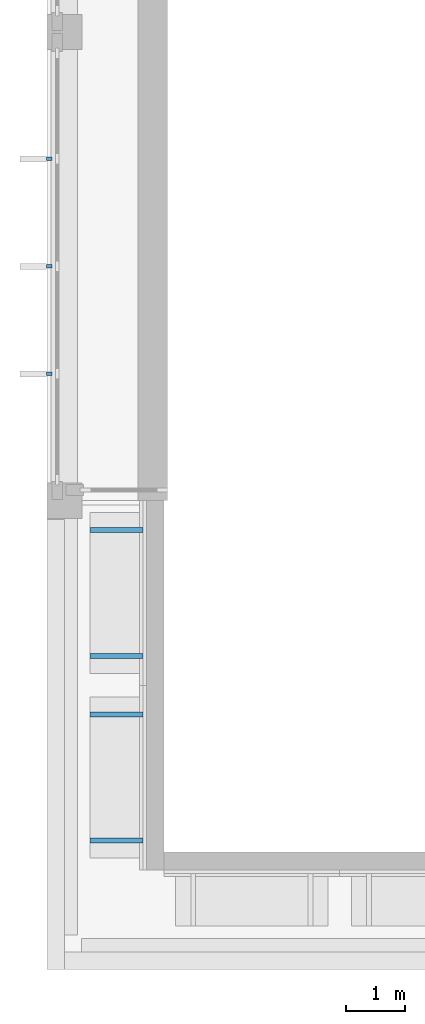
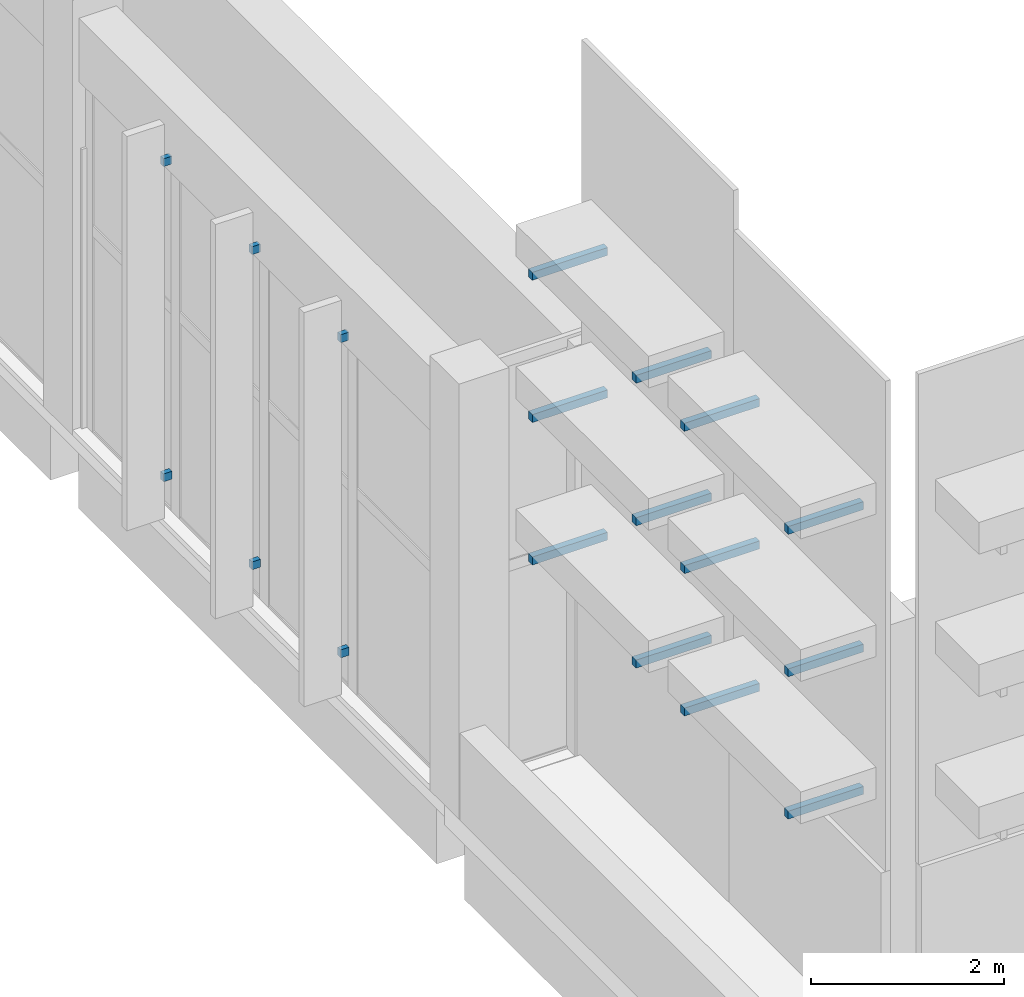
# One storey, part 73 of 94: 18 discrete accessories.
"""IFC4 building model written with IfcOpenShell, lengths in metres."""

from ifc_helpers import new_model, si_unit, direction, frame, origin, origin_2d, place, context, subcontext, project, spatial, rectangle, extrude, material, type_object, element, save


model = new_model("IFC4")

# Units and contexts
model_context = context("Model", 3, precision=1e-05, world=origin(), true_north=direction((0.0, 1.0)))
body_context = subcontext(model_context, "Body", "Model", "MODEL_VIEW")
ifc_project = project(units=[si_unit("LENGTHUNIT", "METRE"), si_unit("AREAUNIT", "SQUARE_METRE"), si_unit("VOLUMEUNIT", "CUBIC_METRE"), si_unit("PLANEANGLEUNIT", "RADIAN"), si_unit("MASSUNIT", "GRAM", prefix="KILO")], contexts=[model_context])

# Site, building, storey
site_placement = place(None, origin())
site = spatial("IfcSite", under=ifc_project, at=site_placement, CompositionType="ELEMENT")
building_placement = place(site_placement, origin())
building = spatial("IfcBuilding", under=site, at=building_placement, Name="Lunette Opera House", CompositionType="ELEMENT")
storey_placement = place(building_placement, frame((0.0, 0.0, 22.5)))
storey = spatial("IfcBuildingStorey", under=building, at=storey_placement, Name="L04", CompositionType="ELEMENT", Elevation=22.5)

# Discrete accessories
ifc_material = material(Name="Galvanised steel", Category="steel")
discrete_accessory_type = type_object("IfcDiscreteAccessoryType", Name="FIN BRACKET STEEL", PredefinedType="BRACKET", material=ifc_material)
for number, where, z_axis, x_axis, name in (
    (1, (8.0419921875, 77.8349609375, 0.56494140625), (0.0, 0.0, 1.0), (-1.0, 0.0, 0.0), "Fin bracket RW-X2065 1 1"),
    (2, (8.0419921875, 77.8349609375, 4.550048828125), (0.0, 0.0, 1.0), (-1.0, 0.0, 0.0), "Fin bracket RW-X2065 1 2"),
    (3, (8.0419921875, 76.0, 0.56494140625), (0.0, 0.0, 1.0), (-1.0, 0.0, 0.0), "Fin bracket RW-X2065 2 1"),
    (4, (8.0419921875, 76.0, 4.550048828125), (0.0, 0.0, 1.0), (-1.0, 0.0, 0.0), "Fin bracket RW-X2065 2 2"),
    (5, (8.0419921875, 74.1650390625, 0.56494140625), (0.0, 0.0, 1.0), (-1.0, 0.0, 0.0), "Fin bracket RW-X2065 3 1"),
    (6, (8.0419921875, 74.1650390625, 4.550048828125), (0.0, 0.0, 1.0), (-1.0, 0.0, 0.0), "Fin bracket RW-X2065 3 2"),
):
    element("IfcDiscreteAccessory", number, at=place(storey_placement, frame(where, z_axis=z_axis, x_axis=x_axis)), inside=storey, type_object=discrete_accessory_type, Name=name, PredefinedType="BRACKET", context=body_context, shape_type="SweptSolid", body=[
        extrude(rectangle(XDim=0.10009765625, YDim=0.06005859375, at=origin_2d()), origin(), (0.0, 0.0, 1.0), 0.10009765625),
    ])
for number, where, z_axis, x_axis, name in (
    (7, (9.18994140625, 66.199951171875, 3.099853515625), (0.0, 0.0, 1.0), (-1.0, 0.0, 0.0), "Blade bracket loft W2 0 1"),
    (8, (9.18994140625, 68.35009765625, 3.099853515625), (0.0, 0.0, 1.0), (-1.0, 0.0, 0.0), "Blade bracket loft W2 0 2"),
    (9, (9.18994140625, 66.199951171875, 4.89990234375), (0.0, 0.0, 1.0), (-1.0, 0.0, 0.0), "Blade bracket loft W2 0 1"),
    (10, (9.18994140625, 68.35009765625, 4.89990234375), (0.0, 0.0, 1.0), (-1.0, 0.0, 0.0), "Blade bracket loft W2 0 2"),
    (11, (9.18994140625, 66.199951171875, 6.699951171875), (0.0, 0.0, 1.0), (-1.0, 0.0, 0.0), "Blade bracket loft W2 0 1"),
    (12, (9.18994140625, 68.35009765625, 6.699951171875), (0.0, 0.0, 1.0), (-1.0, 0.0, 0.0), "Blade bracket loft W2 0 2"),
    (13, (9.18994140625, 69.35009765625, 3.099853515625), (0.0, 0.0, 1.0), (-1.0, 0.0, 0.0), "Blade bracket loft W2 1 1"),
    (14, (9.18994140625, 71.5, 3.099853515625), (0.0, 0.0, 1.0), (-1.0, 0.0, 0.0), "Blade bracket loft W2 1 2"),
    (15, (9.18994140625, 69.35009765625, 4.89990234375), (0.0, 0.0, 1.0), (-1.0, 0.0, 0.0), "Blade bracket loft W2 1 1"),
    (16, (9.18994140625, 71.5, 4.89990234375), (0.0, 0.0, 1.0), (-1.0, 0.0, 0.0), "Blade bracket loft W2 1 2"),
    (17, (9.18994140625, 69.35009765625, 6.699951171875), (0.0, 0.0, 1.0), (-1.0, 0.0, 0.0), "Blade bracket loft W2 1 1"),
    (18, (9.18994140625, 71.5, 6.699951171875), (0.0, 0.0, 1.0), (-1.0, 0.0, 0.0), "Blade bracket loft W2 1 2"),
):
    element("IfcDiscreteAccessory", number, at=place(storey_placement, frame(where, z_axis=z_axis, x_axis=x_axis)), inside=storey, type_object=discrete_accessory_type, Name=name, PredefinedType="BRACKET", context=body_context, shape_type="SweptSolid", body=[
        extrude(rectangle(XDim=0.89990234375, YDim=0.080078125, at=origin_2d()), origin(), (0.0, 0.0, 1.0), 0.10009765625),
    ])

save(model, "model.ifc")
